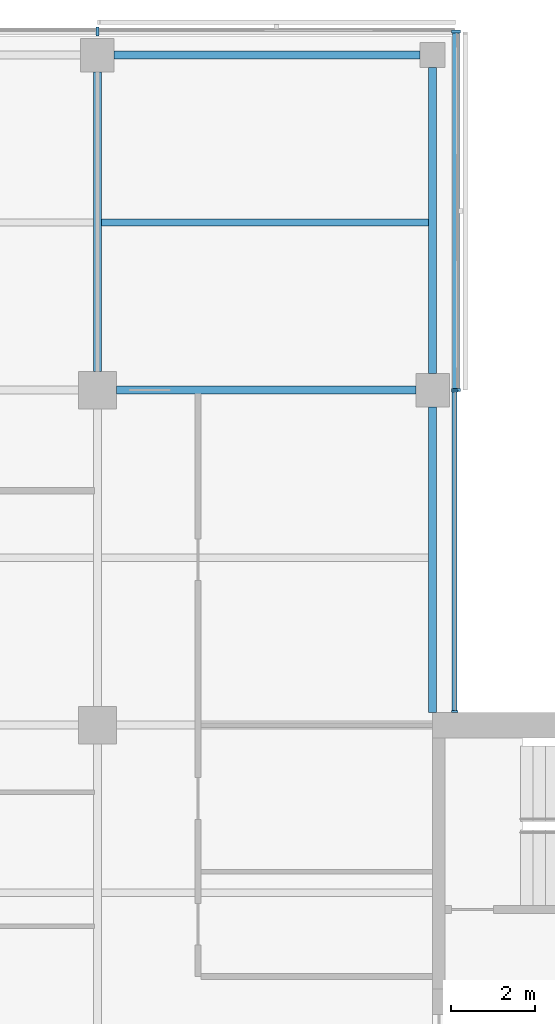
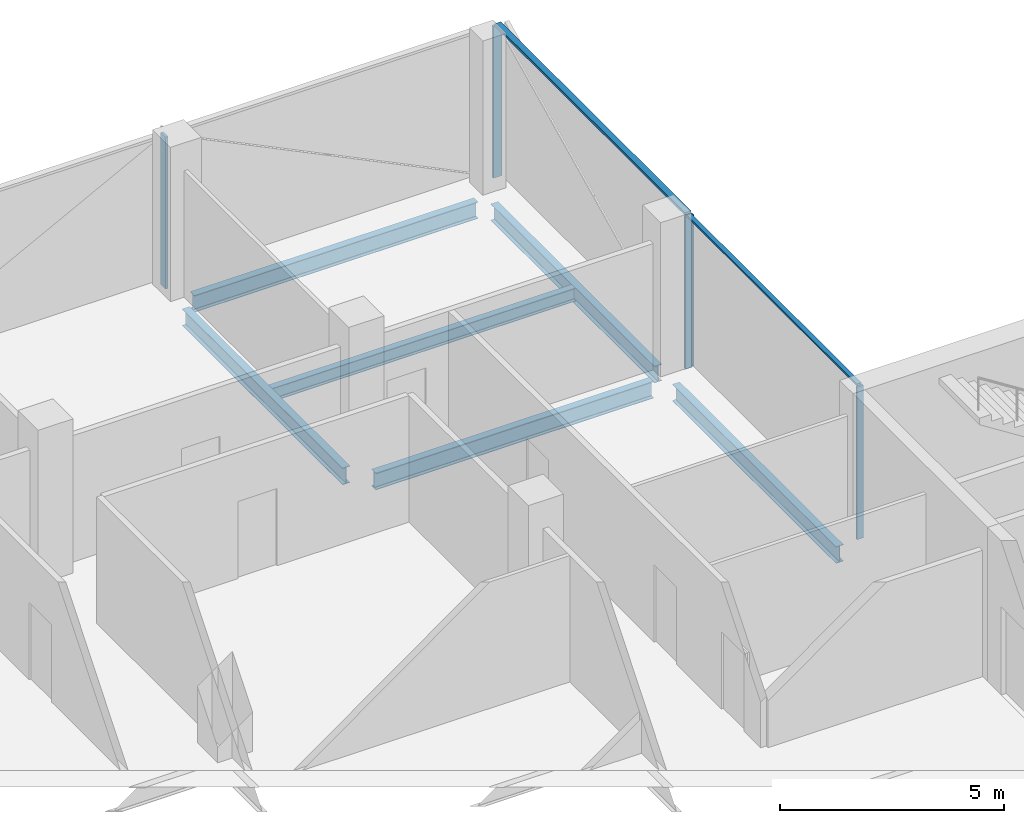
# One storey, part 7 of 15: 7 members, 6 beams, 3 elements without a shape of their own.
"""IFC4 building model written with IfcOpenShell, lengths in metres."""

from ifc_helpers import new_model, si_unit, direction, frame, origin, origin_2d, place, context, subcontext, project, spatial, rectangle, i_section, extrude, material, material_profile, profile_set, type_object, element, aggregate, save


model = new_model("IFC4")

# Units and contexts
model_context = context("Model", 3, precision=1e-05, world=origin(), true_north=direction((0.0, 1.0)))
body_context = subcontext(model_context, "Body", "Model", "MODEL_VIEW")
ifc_project = project(units=[si_unit("LENGTHUNIT", "METRE"), si_unit("AREAUNIT", "SQUARE_METRE"), si_unit("VOLUMEUNIT", "CUBIC_METRE"), si_unit("PLANEANGLEUNIT", "RADIAN"), si_unit("MASSUNIT", "GRAM", prefix="KILO")], contexts=[model_context])

# Site, building, storey
site_placement = place(None, origin())
site = spatial("IfcSite", under=ifc_project, at=site_placement, CompositionType="ELEMENT")
building_placement = place(site_placement, origin())
building = spatial("IfcBuilding", under=site, at=building_placement, Name="Crosswind Convention Tower", CompositionType="ELEMENT")
storey_placement = place(building_placement, frame((0.0, 0.0, 204.10009765625)))
storey = spatial("IfcBuildingStorey", under=building, at=storey_placement, Name="L43", CompositionType="ELEMENT", Elevation=204.10009765625)

# Beams
ifc_material_1 = material(Name="Steel S355", Category="steel")
ifc_material_profile_1 = material_profile(ifc_material_1, i_section(OverallWidth=0.18994140625, OverallDepth=0.45361328125, WebThickness=0.008544921875, FlangeThickness=0.0126953125, FilletRadius=0.01025390625, at=origin_2d()), Name="UB 457x191x67")
ifc_profile_set_1 = profile_set([ifc_material_profile_1], Name="Steel S355")
beam_type_1 = type_object("IfcBeamType", Name="Edge beam UB 457x191x67", PredefinedType="SPANDREL", material=ifc_profile_set_1)
for number, where, z_axis, x_axis, name in (
    (1, (129.39990234375, 128.0, -0.52685546875), (1.0, 0.0, 0.0), (0.0, 1.0, 0.0), "B16 L43 edge beam 10"),
    (2, (137.0, 112.300048828125, -0.52685546875), (0.0, 1.0, 0.0), (-1.0, 0.0, 0.0), "B16 L43 edge beam 13"),
    (3, (137.0, 120.39990234375, -0.52685546875), (0.0, 1.0, 0.0), (-1.0, 0.0, 0.0), "B16 L43 edge beam 14"),
):
    element("IfcBeam", number, at=place(storey_placement, frame(where, z_axis=z_axis, x_axis=x_axis)), inside=storey, type_object=beam_type_1, Name=name, PredefinedType="SPANDREL", context=body_context, shape_type="SweptSolid", body=[
        extrude(i_section(OverallWidth=0.18994140625, OverallDepth=0.45361328125, WebThickness=0.008544921875, FlangeThickness=0.0126953125, FilletRadius=0.01025390625, at=origin_2d()), origin(), (0.0, 0.0, 1.0), 7.300048828125),
    ])
ifc_material_profile_2 = material_profile(ifc_material_1, i_section(OverallWidth=0.1904296875, OverallDepth=0.457275390625, WebThickness=0.009033203125, FlangeThickness=0.014404296875, FilletRadius=0.01025390625, at=origin_2d()), Name="UB 457x191x75")
ifc_profile_set_2 = profile_set([ifc_material_profile_2], Name="Steel S355")
beam_type_2 = type_object("IfcBeamType", Name="Girder UB 457x191x75", PredefinedType="BEAM", material=ifc_profile_set_2)
for number, where, z_axis, x_axis, name in (
    (4, (129.0, 120.449951171875, -0.52880859375), (0.0, 1.0, 0.0), (-1.0, 0.0, 0.0), "B2 L43 girder 22"),
    (5, (129.449951171875, 120.0, -0.52880859375), (1.0, 0.0, 0.0), (0.0, 1.0, 0.0), "B2 L43 girder 24"),
):
    element("IfcBeam", number, at=place(storey_placement, frame(where, z_axis=z_axis, x_axis=x_axis)), inside=storey, type_object=beam_type_2, Name=name, PredefinedType="BEAM", context=body_context, shape_type="SweptSolid", body=[
        extrude(i_section(OverallWidth=0.1904296875, OverallDepth=0.457275390625, WebThickness=0.009033203125, FlangeThickness=0.014404296875, FilletRadius=0.01025390625, at=origin_2d()), origin(), (0.0, 0.0, 1.0), 7.150146484375),
    ])

# Curtain wall, members
ifc_material_2 = material(Name="Aluminium unitised curtain wall", Category="aluminium")
curtain_wall_type_1 = type_object("IfcCurtainWallType", Name="CORE END SLOT WALL 160", PredefinedType="USERDEFINED", material=ifc_material_2)
curtain_wall_1_placement = place(storey_placement, origin())
curtain_wall_1 = element("IfcCurtainWall", 6, at=curtain_wall_1_placement, inside=storey, type_object=curtain_wall_type_1, Name="CW6 L43 N-E.1-1 slot", ObjectType="UNITISED", PredefinedType="USERDEFINED")
ifc_material_3 = material(Name="Aluminium mullion", Category="aluminium")
ifc_material_profile_3 = material_profile(ifc_material_3, rectangle(XDim=0.159912109375, YDim=0.050048828125, at=origin_2d()), Name="AL 160X50")
ifc_profile_set_3 = profile_set([ifc_material_profile_3], Name="Aluminium mullion")
member_type_1 = type_object("IfcMemberType", Name="MULLION 50X160", PredefinedType="MULLION", material=ifc_profile_set_3)
member_1_placement = place(storey_placement, frame((137.530029296875, 112.324951171875, -0.300048828125), z_axis=(0.0, 0.0, 1.0), x_axis=(1.0, 0.0, 0.0)))
member_1 = element("IfcMember", 7, at=member_1_placement, type_object=member_type_1, Name="CW6 mullion 1", PredefinedType="MULLION", context=body_context, shape_type="SweptSolid", body=[
    extrude(rectangle(XDim=0.159912109375, YDim=0.050048828125, at=origin_2d()), origin(), (0.0, 0.0, 1.0), 4.14990234375),
])
member_2_placement = place(storey_placement, frame((137.530029296875, 119.97509765625, -0.300048828125), z_axis=(0.0, 0.0, 1.0), x_axis=(1.0, 0.0, 0.0)))
member_2 = element("IfcMember", 8, at=member_2_placement, type_object=member_type_1, Name="CW6 mullion 2", PredefinedType="MULLION", context=body_context, shape_type="SweptSolid", body=[
    extrude(rectangle(XDim=0.159912109375, YDim=0.050048828125, at=origin_2d()), origin(), (0.0, 0.0, 1.0), 4.14990234375),
])

curtain_wall_type_2 = type_object("IfcCurtainWallType", Name="OFFICE UNITISED WALL 220", PredefinedType="USERDEFINED", material=ifc_material_2)
curtain_wall_2_placement = place(storey_placement, origin())
curtain_wall_2 = element("IfcCurtainWall", 9, at=curtain_wall_2_placement, inside=storey, type_object=curtain_wall_type_2, Name="CW3 L43 N-E 1", ObjectType="UNITISED", PredefinedType="USERDEFINED")
ifc_material_profile_4 = material_profile(ifc_material_3, rectangle(XDim=0.219970703125, YDim=0.070068359375, at=origin_2d()), Name="AL 220X70")
ifc_profile_set_4 = profile_set([ifc_material_profile_4], Name="Aluminium mullion")
member_type_2 = type_object("IfcMemberType", Name="MULLION 70X220", PredefinedType="MULLION", material=ifc_profile_set_4)
member_3_placement = place(storey_placement, frame((137.56005859375, 120.0, -0.300048828125), z_axis=(0.0, 0.0, 1.0), x_axis=(1.0, 0.0, 0.0)))
member_3 = element("IfcMember", 10, at=member_3_placement, type_object=member_type_2, Name="CW3 mullion 1", PredefinedType="MULLION", context=body_context, shape_type="SweptSolid", body=[
    extrude(rectangle(XDim=0.219970703125, YDim=0.070068359375, at=origin_2d()), origin(), (0.0, 0.0, 1.0), 4.1298828125),
])
member_4_placement = place(storey_placement, frame((137.56005859375, 128.56005859375, -0.300048828125), z_axis=(0.0, 0.0, 1.0), x_axis=(1.0, 0.0, 0.0)))
member_4 = element("IfcMember", 11, at=member_4_placement, type_object=member_type_2, Name="CW3 mullion 2", PredefinedType="MULLION", context=body_context, shape_type="SweptSolid", body=[
    extrude(rectangle(XDim=0.219970703125, YDim=0.070068359375, at=origin_2d()), origin(), (0.0, 0.0, 1.0), 4.1298828125),
])

# Curtain wall, member
curtain_wall_3_placement = place(storey_placement, origin())
curtain_wall_3 = element("IfcCurtainWall", 12, at=curtain_wall_3_placement, inside=storey, type_object=curtain_wall_type_2, Name="CW3 L43 N-TIP 1", ObjectType="UNITISED", PredefinedType="USERDEFINED")
member_5_placement = place(storey_placement, frame((129.0, 128.56005859375, -0.300048828125), z_axis=(0.0, 0.0, 1.0), x_axis=(0.0, 1.0, 0.0)))
member_5 = element("IfcMember", 13, at=member_5_placement, type_object=member_type_2, Name="CW3 mullion 2", PredefinedType="MULLION", context=body_context, shape_type="SweptSolid", body=[
    extrude(rectangle(XDim=0.219970703125, YDim=0.070068359375, at=origin_2d()), origin(), (0.0, 0.0, 1.0), 4.1298828125),
])
aggregate(curtain_wall_3, [member_5])

# Beam
ifc_material_profile_5 = material_profile(ifc_material_1, i_section(OverallWidth=0.172119140625, OverallDepth=0.358642578125, WebThickness=0.008056640625, FlangeThickness=0.012939453125, FilletRadius=0.01025390625, at=origin_2d()), Name="UB 356x171x57")
ifc_profile_set_5 = profile_set([ifc_material_profile_5], Name="Steel S355")
beam_type_3 = type_object("IfcBeamType", Name="Secondary beam UB 356x171x57", PredefinedType="JOIST", material=ifc_profile_set_5)
beam_placement = place(storey_placement, frame((129.09521484375, 124.0, -0.4794921875), z_axis=(1.0, 0.0, 0.0), x_axis=(0.0, 1.0, 0.0)))
element("IfcBeam", 14, at=beam_placement, inside=storey, type_object=beam_type_3, Name="B9 L43 secondary beam 21", PredefinedType="JOIST", context=body_context, shape_type="SweptSolid", body=[
    extrude(i_section(OverallWidth=0.172119140625, OverallDepth=0.358642578125, WebThickness=0.008056640625, FlangeThickness=0.012939453125, FilletRadius=0.01025390625, at=origin_2d()), origin(), (0.0, 0.0, 1.0), 7.809814453125),
])

# Member
ifc_material_4 = material(Name="Aluminium transom", Category="aluminium")
ifc_material_profile_6 = material_profile(ifc_material_4, rectangle(XDim=0.1201171875, YDim=0.050048828125, at=origin_2d()), Name="AL 120X50")
ifc_profile_set_6 = profile_set([ifc_material_profile_6], Name="Aluminium transom")
member_type_3 = type_object("IfcMemberType", Name="TRANSOM 50X120", PredefinedType="USERDEFINED", material=ifc_profile_set_6)
member_6_placement = place(storey_placement, frame((137.530029296875, 112.35009765625, 3.875), z_axis=(0.0, 1.0, 0.0), x_axis=(-1.0, 0.0, 0.0)))
member_6 = element("IfcMember", 15, at=member_6_placement, type_object=member_type_3, Name="CW6 transom", ObjectType="TRANSOM", PredefinedType="USERDEFINED", context=body_context, shape_type="SweptSolid", body=[
    extrude(rectangle(XDim=0.1201171875, YDim=0.050048828125, at=origin_2d()), origin(), (0.0, 0.0, 1.0), 7.599853515625),
])

aggregate(curtain_wall_1, [member_1, member_2, member_6])

ifc_material_profile_7 = material_profile(ifc_material_4, rectangle(XDim=0.159912109375, YDim=0.070068359375, at=origin_2d()), Name="AL 160X70")
ifc_profile_set_7 = profile_set([ifc_material_profile_7], Name="Aluminium transom")
member_type_4 = type_object("IfcMemberType", Name="TRANSOM 70X160", PredefinedType="USERDEFINED", material=ifc_profile_set_7)
member_7_placement = place(storey_placement, frame((137.56005859375, 120.034912109375, 3.864990234375), z_axis=(0.0, 1.0, 0.0), x_axis=(-1.0, 0.0, 0.0)))
member_7 = element("IfcMember", 16, at=member_7_placement, type_object=member_type_4, Name="CW3 transom", ObjectType="TRANSOM", PredefinedType="USERDEFINED", context=body_context, shape_type="SweptSolid", body=[
    extrude(rectangle(XDim=0.159912109375, YDim=0.070068359375, at=origin_2d()), origin(), (0.0, 0.0, 1.0), 8.489990234375),
])

aggregate(curtain_wall_2, [member_3, member_4, member_7])

save(model, "model.ifc")
